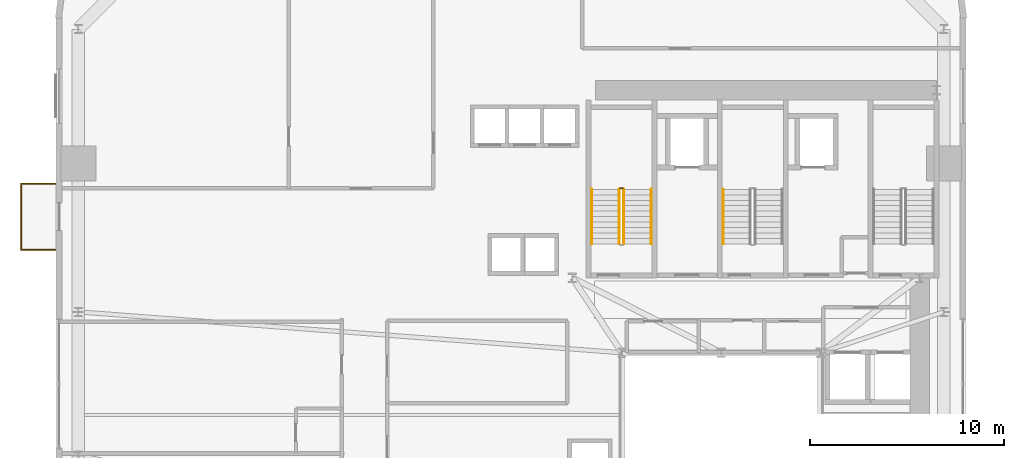
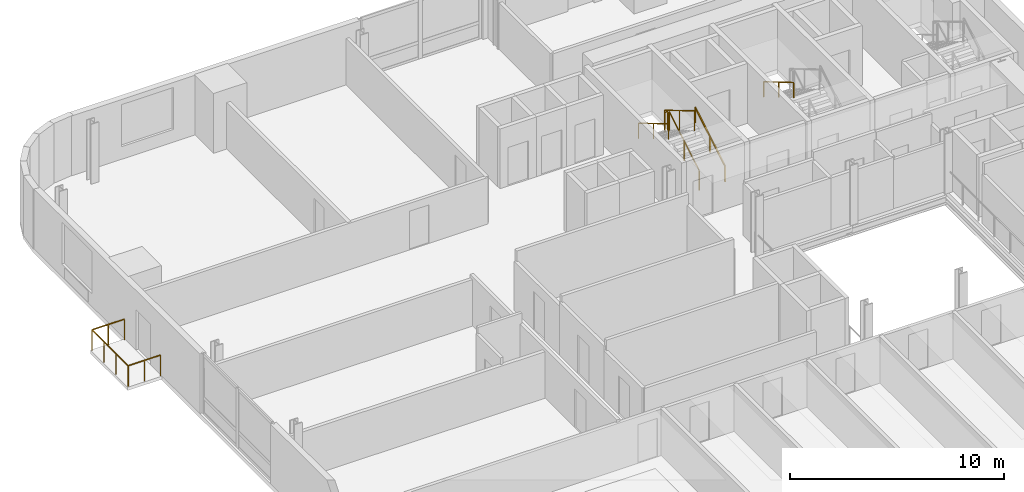
# One storey, part 12 of 13: 7 railings.
"""IFC4 building model written with IfcOpenShell, lengths in metres."""

from ifc_helpers import new_model, si_unit, direction, frame, origin, origin_2d, place, context, subcontext, project, spatial, rectangle, extrude, source, transform, mapped, material, type_object, element, save


model = new_model("IFC4")

# Units and contexts
model_context = context("Model", 3, precision=1e-05, world=origin(), true_north=direction((0.0, 1.0)))
body_context = subcontext(model_context, "Body", "Model", "MODEL_VIEW")
ifc_project = project(units=[si_unit("LENGTHUNIT", "METRE"), si_unit("AREAUNIT", "SQUARE_METRE"), si_unit("VOLUMEUNIT", "CUBIC_METRE"), si_unit("PLANEANGLEUNIT", "RADIAN"), si_unit("MASSUNIT", "GRAM", prefix="KILO")], contexts=[model_context])

# Site, building, storey
site_placement = place(None, origin())
site = spatial("IfcSite", under=ifc_project, at=site_placement, CompositionType="ELEMENT")
building_placement = place(site_placement, origin())
building = spatial("IfcBuilding", under=site, at=building_placement, Name="Vardaveli Station Tower", CompositionType="ELEMENT")
storey_placement = place(building_placement, frame((0.0, 0.0, 56.800048828125)))
storey = spatial("IfcBuildingStorey", under=building, at=storey_placement, Name="L14", CompositionType="ELEMENT", Elevation=56.800048828125)

# Railings
ifc_material_1 = material(Name="Laminated glass and stainless steel balustrade", Category="steel")
railing_type_1 = type_object("IfcRailingType", Name="RL-BAL-1200", PredefinedType="BALUSTRADE", material=ifc_material_1)
shared_shape_1 = source(origin(), body_context, "Body", "SweptSolid", [
    extrude(rectangle(XDim=0.048095703125, YDim=0.048095703125, at=origin_2d()), frame((0.0, 0.0, 1.17578125), z_axis=(-1.0, 0.0, 0.0), x_axis=(0.0, -1.0, 0.0)), (0.0, 0.0, 1.0), 1.75),
    extrude(rectangle(XDim=0.048095703125, YDim=0.048095703125, at=origin_2d()), frame((-1.75, 0.0, 1.17578125), z_axis=(0.0, 1.0, 0.0), x_axis=(-1.0, 0.0, 0.0)), (0.0, 0.0, 1.0), 3.3798828125),
    extrude(rectangle(XDim=0.048095703125, YDim=0.048095703125, at=origin_2d()), frame((-1.75, 3.3798828125, 1.17578125), z_axis=(1.0, 0.0, 0.0), x_axis=(0.0, 1.0, 0.0)), (0.0, 0.0, 1.0), 1.75),
    extrude(rectangle(XDim=0.0419921875, YDim=0.0419921875, at=origin_2d()), origin(), (0.0, 0.0, 1.0), 1.15185546875),
    extrude(rectangle(XDim=0.0419921875, YDim=0.0419921875, at=origin_2d()), frame((-0.875, 0.0, 0.0)), (0.0, 0.0, 1.0), 1.15185546875),
    extrude(rectangle(XDim=0.0419921875, YDim=0.0419921875, at=origin_2d()), frame((-1.75, 0.0, 0.0)), (0.0, 0.0, 1.0), 1.15185546875),
    extrude(rectangle(XDim=0.0419921875, YDim=0.0419921875, at=origin_2d()), frame((-1.75, 1.126708984375, 0.0)), (0.0, 0.0, 1.0), 1.15185546875),
    extrude(rectangle(XDim=0.0419921875, YDim=0.0419921875, at=origin_2d()), frame((-1.75, 2.253173828125, 0.0)), (0.0, 0.0, 1.0), 1.15185546875),
    extrude(rectangle(XDim=0.0419921875, YDim=0.0419921875, at=origin_2d()), frame((-1.75, 3.3798828125, 0.0)), (0.0, 0.0, 1.0), 1.15185546875),
    extrude(rectangle(XDim=0.0419921875, YDim=0.0419921875, at=origin_2d()), frame((-0.875, 3.3798828125, 0.0)), (0.0, 0.0, 1.0), 1.15185546875),
    extrude(rectangle(XDim=0.0419921875, YDim=0.0419921875, at=origin_2d()), frame((0.0, 3.3798828125, 0.0)), (0.0, 0.0, 1.0), 1.15185546875),
])
railing_1_placement = place(storey_placement, frame((2.06005859375, 32.099609375, 0.0)))
element("IfcRailing", 1, at=railing_1_placement, inside=storey, type_object=railing_type_1, Name="RL-LOG-L14-03", PredefinedType="BALUSTRADE", context=body_context, shape_type="MappedRepresentation", body=[
    mapped(shared_shape_1, transform((0.0, 0.0, 0.0), scale=1.0)),
])
ifc_material_2 = material(Name="Brushed AISI 316 stainless steel", Category="steel")
railing_type_2 = type_object("IfcRailingType", Name="RL-GUARD-1150", PredefinedType="GUARDRAIL", material=ifc_material_2)
shared_shape_2 = source(origin(), body_context, "Body", "SweptSolid", [
    extrude(rectangle(XDim=0.048095703125, YDim=0.048095703125, at=origin_2d()), frame((0.0, 0.0, 1.1259765625), z_axis=(-1.0, 0.0, 0.0), x_axis=(0.0, -1.0, 0.0)), (0.0, 0.0, 1.0), 0.14990234375),
    extrude(rectangle(XDim=0.0419921875, YDim=0.0419921875, at=origin_2d()), origin(), (0.0, 0.0, 1.0), 1.101806640625),
    extrude(rectangle(XDim=0.0419921875, YDim=0.0419921875, at=origin_2d()), frame((-0.14990234375, 0.0, 0.0)), (0.0, 0.0, 1.0), 1.101806640625),
])
railing_2_placement = place(storey_placement, frame((31.25, 35.25, 1.824951171875)))
element("IfcRailing", 2, at=railing_2_placement, inside=storey, type_object=railing_type_2, Name="L14 ST-1 stair guard 2", PredefinedType="GUARDRAIL", context=body_context, shape_type="MappedRepresentation", body=[
    mapped(shared_shape_2, transform((0.0, 0.0, 0.0), scale=1.0)),
])
shared_shape_3 = source(origin(), body_context, "Body", "SweptSolid", [
    extrude(rectangle(XDim=0.048095703125, YDim=0.048095703125, at=origin_2d()), frame((0.0, 0.0, 1.1259765625), z_axis=(0.0, 0.860306154799, 0.50977771628), x_axis=(-1.0, 0.0, 0.0)), (0.0, 0.0, 1.0), 3.254638671875),
    extrude(rectangle(XDim=0.0419921875, YDim=0.0419921875, at=origin_2d()), origin(), (0.0, 0.0, 1.0), 1.101806640625),
    extrude(rectangle(XDim=0.0419921875, YDim=0.0419921875, at=origin_2d()), frame((0.0, 1.39990234375, 0.82958984375)), (0.0, 0.0, 1.0), 1.101806640625),
    extrude(rectangle(XDim=0.0419921875, YDim=0.0419921875, at=origin_2d()), frame((0.0, 2.800048828125, 1.6591796875)), (0.0, 0.0, 1.0), 1.101806640625),
])
railing_3_placement = place(storey_placement, frame((31.300048828125, 32.39990234375, 0.165771484375)))
element("IfcRailing", 3, at=railing_3_placement, inside=storey, type_object=railing_type_2, Name="L14 ST-1 stair guard 1", PredefinedType="GUARDRAIL", context=body_context, shape_type="MappedRepresentation", body=[
    mapped(shared_shape_3, transform((0.0, 0.0, 0.0), scale=1.0)),
])
railing_type_3 = type_object("IfcRailingType", Name="RL-HAND-900", PredefinedType="HANDRAIL", material=ifc_material_2)
shared_shape_4 = source(origin(), body_context, "Body", "SweptSolid", [
    extrude(rectangle(XDim=0.048095703125, YDim=0.048095703125, at=origin_2d()), frame((0.0, 0.0, 0.8759765625), z_axis=(0.0, 0.860306154799, 0.50977771628), x_axis=(-1.0, 0.0, 0.0)), (0.0, 0.0, 1.0), 3.254638671875),
    extrude(rectangle(XDim=0.0419921875, YDim=0.0419921875, at=origin_2d()), origin(), (0.0, 0.0, 1.0), 0.851806640625),
    extrude(rectangle(XDim=0.0419921875, YDim=0.0419921875, at=origin_2d()), frame((0.0, 1.39990234375, 0.82958984375)), (0.0, 0.0, 1.0), 0.851806640625),
    extrude(rectangle(XDim=0.0419921875, YDim=0.0419921875, at=origin_2d()), frame((0.0, 2.800048828125, 1.6591796875)), (0.0, 0.0, 1.0), 0.851806640625),
])
railing_4_placement = place(storey_placement, frame((32.699951171875, 32.39990234375, 0.165771484375)))
element("IfcRailing", 4, at=railing_4_placement, inside=storey, type_object=railing_type_3, Name="L14 ST-1 stair handrail 1", PredefinedType="HANDRAIL", context=body_context, shape_type="MappedRepresentation", body=[
    mapped(shared_shape_4, transform((0.0, 0.0, 0.0), scale=1.0)),
])
shared_shape_5 = source(origin(), body_context, "Body", "SweptSolid", [
    extrude(rectangle(XDim=0.048095703125, YDim=0.048095703125, at=origin_2d()), frame((0.0, 0.0, 1.1259765625), z_axis=(0.0, -0.860339051648, 0.50972219513), x_axis=(1.0, 0.0, 0.0)), (0.0, 0.0, 1.0), 3.254638671875),
    extrude(rectangle(XDim=0.0419921875, YDim=0.0419921875, at=origin_2d()), origin(), (0.0, 0.0, 1.0), 1.101806640625),
    extrude(rectangle(XDim=0.0419921875, YDim=0.0419921875, at=origin_2d()), frame((0.0, -1.39990234375, 0.82958984375)), (0.0, 0.0, 1.0), 1.101806640625),
    extrude(rectangle(XDim=0.0419921875, YDim=0.0419921875, at=origin_2d()), frame((0.0, -2.800048828125, 1.658935546875)), (0.0, 0.0, 1.0), 1.101806640625),
])
railing_5_placement = place(storey_placement, frame((31.050048828125, 35.199951171875, 1.990966796875)))
element("IfcRailing", 5, at=railing_5_placement, inside=storey, type_object=railing_type_2, Name="L14 ST-1 stair guard 3", PredefinedType="GUARDRAIL", context=body_context, shape_type="MappedRepresentation", body=[
    mapped(shared_shape_5, transform((0.0, 0.0, 0.0), scale=1.0)),
])
shared_shape_6 = source(origin(), body_context, "Body", "SweptSolid", [
    extrude(rectangle(XDim=0.048095703125, YDim=0.048095703125, at=origin_2d()), frame((0.0, 0.0, 0.8759765625), z_axis=(0.0, -0.860339051648, 0.50972219513), x_axis=(1.0, 0.0, 0.0)), (0.0, 0.0, 1.0), 3.254638671875),
    extrude(rectangle(XDim=0.0419921875, YDim=0.0419921875, at=origin_2d()), origin(), (0.0, 0.0, 1.0), 0.851806640625),
    extrude(rectangle(XDim=0.0419921875, YDim=0.0419921875, at=origin_2d()), frame((0.0, -1.39990234375, 0.82958984375)), (0.0, 0.0, 1.0), 0.851806640625),
    extrude(rectangle(XDim=0.0419921875, YDim=0.0419921875, at=origin_2d()), frame((0.0, -2.800048828125, 1.658935546875)), (0.0, 0.0, 1.0), 0.851806640625),
])
for number, where, name in (
    (6, (29.64990234375, 35.199951171875, 1.990966796875), "L14 ST-1 stair handrail 2"),
    (7, (36.39990234375, 35.199951171875, 1.990966796875), "L14 ST-2 stair handrail 2"),
):
    element("IfcRailing", number, at=place(storey_placement, frame(where)), inside=storey, type_object=railing_type_3, Name=name, PredefinedType="HANDRAIL", context=body_context, shape_type="MappedRepresentation", body=[
        mapped(shared_shape_6, transform((0.0, 0.0, 0.0), scale=1.0)),
    ])

save(model, "model.ifc")
